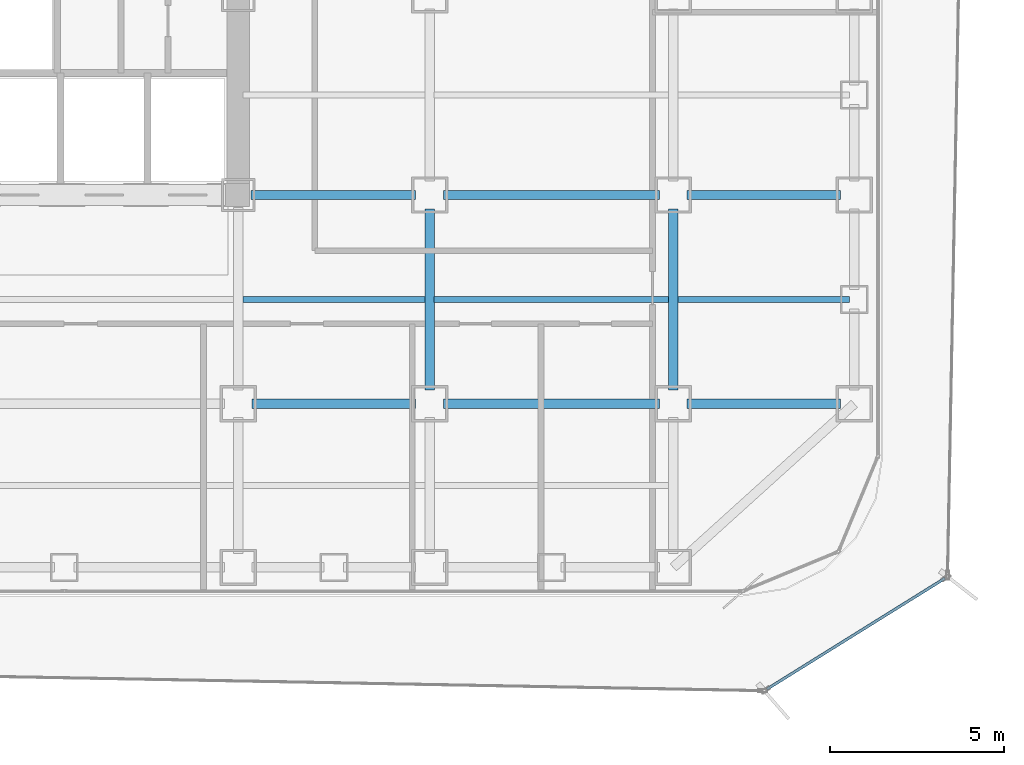
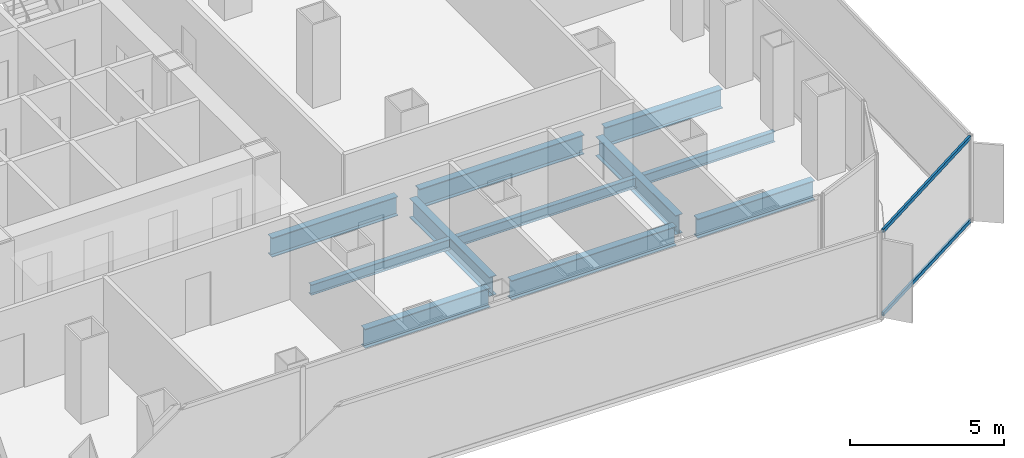
# One storey, part 7 of 22: 11 beams, 2 members, 1 element without a shape of its own.
"""IFC4 building model written with IfcOpenShell, lengths in metres."""

from ifc_helpers import new_model, si_unit, direction, frame, origin, origin_2d, place, context, subcontext, project, spatial, hollow_rectangle, i_section, extrude, source, transform, mapped, material, layer, layer_set, material_profile, profile_set, type_object, element, aggregate, save


model = new_model("IFC4")

# Units and contexts
model_context = context("Model", 3, precision=1e-05, world=origin(), true_north=direction((0.0, 1.0)))
body_context = subcontext(model_context, "Body", "Model", "MODEL_VIEW")
ifc_project = project(units=[si_unit("LENGTHUNIT", "METRE"), si_unit("AREAUNIT", "SQUARE_METRE"), si_unit("VOLUMEUNIT", "CUBIC_METRE"), si_unit("PLANEANGLEUNIT", "RADIAN"), si_unit("MASSUNIT", "GRAM", prefix="KILO")], contexts=[model_context])

# Site, building, storey
site_placement = place(None, origin())
site = spatial("IfcSite", under=ifc_project, at=site_placement, CompositionType="ELEMENT")
building_placement = place(site_placement, origin())
building = spatial("IfcBuilding", under=site, at=building_placement, Name="Kolveth Station Tower", CompositionType="ELEMENT")
storey_placement = place(building_placement, frame((0.0, 0.0, 81.0)))
storey = spatial("IfcBuildingStorey", under=building, at=storey_placement, Name="L21", CompositionType="ELEMENT", Elevation=81.0)

# Beams
ifc_material_1 = material(Name="Steel S355", Category="steel")
ifc_material_profile_1 = material_profile(ifc_material_1, i_section(OverallWidth=0.26708984375, OverallDepth=0.76611328125, WebThickness=0.014892578125, FlangeThickness=0.023681640625, at=origin_2d()), Name="W760x185")
ifc_profile_set_1 = profile_set([ifc_material_profile_1], Name="Steel S355")
beam_type_1 = type_object("IfcBeamType", Name="Beam_B3", PredefinedType="BEAM", material=ifc_profile_set_1)
shared_shape_1 = source(origin(), body_context, "Body", "SweptSolid", [
    extrude(i_section(OverallWidth=0.26708984375, OverallDepth=0.76611328125, WebThickness=0.014892578125, FlangeThickness=0.023681640625, at=origin_2d()), origin(), (0.0, 0.0, 1.0), 4.400146484375),
])
for number, where, z_axis, x_axis, name in (
    (1, (41.39990234375, 5.5, -0.6630859375), (1.0, 0.0, 0.0), (0.0, 1.0, 0.0), "L21 Primary Girder BM-L21-GY55-7"),
    (2, (41.39990234375, 11.5, -0.6630859375), (1.0, 0.0, 0.0), (0.0, 1.0, 0.0), "L21 Primary Girder BM-L21-GY115-7"),
):
    element("IfcBeam", number, at=place(storey_placement, frame(where, z_axis=z_axis, x_axis=x_axis)), inside=storey, type_object=beam_type_1, Name=name, PredefinedType="BEAM", context=body_context, shape_type="MappedRepresentation", body=[
        mapped(shared_shape_1, transform((0.0, 0.0, 0.0), x_axis=(1.0, 0.0, 0.0), y_axis=(0.0, 1.0, 0.0), z_axis=(0.0, 0.0, 1.0), scale=1.0)),
    ])
shared_shape_2 = source(origin(), body_context, "Body", "SweptSolid", [
    extrude(i_section(OverallWidth=0.26708984375, OverallDepth=0.76611328125, WebThickness=0.014892578125, FlangeThickness=0.023681640625, at=origin_2d()), origin(), (0.0, 0.0, 1.0), 6.2001953125),
])
for number, where, z_axis, x_axis, name in (
    (3, (34.39990234375, 5.5, -0.6630859375), (1.0, 0.0, 0.0), (0.0, 1.0, 0.0), "L21 Primary Girder BM-L21-GY55-6"),
    (4, (34.39990234375, 11.5, -0.6630859375), (1.0, 0.0, 0.0), (0.0, 1.0, 0.0), "L21 Primary Girder BM-L21-GY115-6"),
):
    element("IfcBeam", number, at=place(storey_placement, frame(where, z_axis=z_axis, x_axis=x_axis)), inside=storey, type_object=beam_type_1, Name=name, PredefinedType="BEAM", context=body_context, shape_type="MappedRepresentation", body=[
        mapped(shared_shape_2, transform((0.0, 0.0, 0.0), x_axis=(1.0, 0.0, 0.0), y_axis=(0.0, 1.0, 0.0), z_axis=(0.0, 0.0, 1.0), scale=1.0)),
    ])
shared_shape_3 = source(origin(), body_context, "Body", "SweptSolid", [
    extrude(i_section(OverallWidth=0.26708984375, OverallDepth=0.76611328125, WebThickness=0.014892578125, FlangeThickness=0.023681640625, at=origin_2d()), origin(), (0.0, 0.0, 1.0), 4.7001953125),
])
beam_1_placement = place(storey_placement, frame((28.89990234375, 5.5, -0.6630859375), z_axis=(1.0, 0.0, 0.0), x_axis=(0.0, 1.0, 0.0)))
element("IfcBeam", 5, at=beam_1_placement, inside=storey, type_object=beam_type_1, Name="L21 Primary Girder BM-L21-GY55-5", PredefinedType="BEAM", context=body_context, shape_type="MappedRepresentation", body=[
    mapped(shared_shape_3, transform((0.0, 0.0, 0.0), x_axis=(1.0, 0.0, 0.0), y_axis=(0.0, 1.0, 0.0), z_axis=(0.0, 0.0, 1.0), scale=1.0)),
])
shared_shape_4 = source(origin(), body_context, "Body", "SweptSolid", [
    extrude(i_section(OverallWidth=0.26708984375, OverallDepth=0.76611328125, WebThickness=0.014892578125, FlangeThickness=0.023681640625, at=origin_2d()), origin(), (0.0, 0.0, 1.0), 4.739990234375),
])
beam_2_placement = place(storey_placement, frame((28.860107421875, 11.5, -0.6630859375), z_axis=(1.0, 0.0, 0.0), x_axis=(0.0, 1.0, 0.0)))
element("IfcBeam", 6, at=beam_2_placement, inside=storey, type_object=beam_type_1, Name="L21 Primary Girder BM-L21-GY115-5", PredefinedType="BEAM", context=body_context, shape_type="MappedRepresentation", body=[
    mapped(shared_shape_4, transform((0.0, 0.0, 0.0), x_axis=(1.0, 0.0, 0.0), y_axis=(0.0, 1.0, 0.0), z_axis=(0.0, 0.0, 1.0), scale=1.0)),
])
shared_shape_5 = source(origin(), body_context, "Body", "SweptSolid", [
    extrude(i_section(OverallWidth=0.26708984375, OverallDepth=0.76611328125, WebThickness=0.014892578125, FlangeThickness=0.023681640625, at=origin_2d()), origin(), (0.0, 0.0, 1.0), 5.2001953125),
])
for number, where, z_axis, x_axis, name in (
    (7, (34.0, 5.89990234375, -0.6630859375), (0.0, 1.0, 0.0), (-1.0, 0.0, 0.0), "L21 Primary Girder BM-L21-GX340-2"),
    (8, (41.0, 5.89990234375, -0.6630859375), (0.0, 1.0, 0.0), (-1.0, 0.0, 0.0), "L21 Primary Girder BM-L21-GX410-2"),
):
    element("IfcBeam", number, at=place(storey_placement, frame(where, z_axis=z_axis, x_axis=x_axis)), inside=storey, type_object=beam_type_1, Name=name, PredefinedType="BEAM", context=body_context, shape_type="MappedRepresentation", body=[
        mapped(shared_shape_5, transform((0.0, 0.0, 0.0), x_axis=(1.0, 0.0, 0.0), y_axis=(0.0, 1.0, 0.0), z_axis=(0.0, 0.0, 1.0), scale=1.0)),
    ])
ifc_material_profile_2 = material_profile(ifc_material_1, i_section(OverallWidth=0.177978515625, OverallDepth=0.406982421875, WebThickness=0.0078125, FlangeThickness=0.0126953125, at=origin_2d()), Name="W410x60")
ifc_profile_set_2 = profile_set([ifc_material_profile_2], Name="Steel S355")
beam_type_2 = type_object("IfcBeamType", Name="Beam_J1", PredefinedType="JOIST", material=ifc_profile_set_2)
shared_shape_6 = source(origin(), body_context, "Body", "SweptSolid", [
    extrude(i_section(OverallWidth=0.177978515625, OverallDepth=0.406982421875, WebThickness=0.0078125, FlangeThickness=0.0126953125, at=origin_2d()), origin(), (0.0, 0.0, 1.0), 4.935791015625),
])
beam_3_placement = place(storey_placement, frame((41.131591796875, 8.5, -0.4833984375), z_axis=(1.0, 0.0, 0.0), x_axis=(0.0, 1.0, 0.0)))
element("IfcBeam", 9, at=beam_3_placement, inside=storey, type_object=beam_type_2, Name="L21 Secondary Joist JST-L21-7-2", PredefinedType="JOIST", context=body_context, shape_type="MappedRepresentation", body=[
    mapped(shared_shape_6, transform((0.0, 0.0, 0.0), x_axis=(1.0, 0.0, 0.0), y_axis=(0.0, 1.0, 0.0), z_axis=(0.0, 0.0, 1.0), scale=1.0)),
])
shared_shape_7 = source(origin(), body_context, "Body", "SweptSolid", [
    extrude(i_section(OverallWidth=0.177978515625, OverallDepth=0.406982421875, WebThickness=0.0078125, FlangeThickness=0.0126953125, at=origin_2d()), origin(), (0.0, 0.0, 1.0), 6.73681640625),
])
beam_4_placement = place(storey_placement, frame((34.131591796875, 8.5, -0.4833984375), z_axis=(1.0, 0.0, 0.0), x_axis=(0.0, 1.0, 0.0)))
element("IfcBeam", 10, at=beam_4_placement, inside=storey, type_object=beam_type_2, Name="L21 Secondary Joist JST-L21-6-2", PredefinedType="JOIST", context=body_context, shape_type="MappedRepresentation", body=[
    mapped(shared_shape_7, transform((0.0, 0.0, 0.0), x_axis=(1.0, 0.0, 0.0), y_axis=(0.0, 1.0, 0.0), z_axis=(0.0, 0.0, 1.0), scale=1.0)),
])
shared_shape_8 = source(origin(), body_context, "Body", "SweptSolid", [
    extrude(i_section(OverallWidth=0.177978515625, OverallDepth=0.406982421875, WebThickness=0.0078125, FlangeThickness=0.0126953125, at=origin_2d()), origin(), (0.0, 0.0, 1.0), 5.23681640625),
])
beam_5_placement = place(storey_placement, frame((28.631591796875, 8.5, -0.4833984375), z_axis=(1.0, 0.0, 0.0), x_axis=(0.0, 1.0, 0.0)))
element("IfcBeam", 11, at=beam_5_placement, inside=storey, type_object=beam_type_2, Name="L21 Secondary Joist JST-L21-5-2", PredefinedType="JOIST", context=body_context, shape_type="MappedRepresentation", body=[
    mapped(shared_shape_8, transform((0.0, 0.0, 0.0), x_axis=(1.0, 0.0, 0.0), y_axis=(0.0, 1.0, 0.0), z_axis=(0.0, 0.0, 1.0), scale=1.0)),
])

# Curtain wall, members
ifc_material_2 = material(Name="Black anodized aluminium 6063-T6 and dark solar glass", Category="aluminium")
ifc_layer = layer(ifc_material_2, 0.159912109375)
ifc_layer_set = layer_set([ifc_layer], Name="Black anodized aluminium 6063-T6 and dark solar glass")
curtain_wall_type = type_object("IfcCurtainWallType", Name="OUTER SKIN CW-OS", PredefinedType="NOTDEFINED", material=ifc_layer_set)
curtain_wall_placement = place(storey_placement, origin())
curtain_wall = element("IfcCurtainWall", 12, at=curtain_wall_placement, inside=storey, type_object=curtain_wall_type, Name="L21 Outer Ventilated Skin Curtain Wall 1", PredefinedType="NOTDEFINED")
ifc_material_3 = material(Name="Black anodized aluminium 6063-T6", Category="aluminium")
ifc_material_profile_3 = material_profile(ifc_material_3, hollow_rectangle(XDim=0.080078125, YDim=0.14990234375, WallThickness=0.0048828125, at=origin_2d()), Name="ALU-80x150x5")
ifc_profile_set_3 = profile_set([ifc_material_profile_3], Name="Black anodized aluminium 6063-T6")
member_type = type_object("IfcMemberType", Name="Transom_TR-OS", PredefinedType="USERDEFINED", material=ifc_profile_set_3)
shared_shape_9 = source(origin(), body_context, "Body", "SweptSolid", [
    extrude(hollow_rectangle(XDim=0.080078125, YDim=0.14990234375, WallThickness=0.0048828125, at=origin_2d()), origin(), (0.0, 0.0, 1.0), 6.024658203125),
])
member_1_placement = place(storey_placement, frame((43.689697265625, -2.6982421875, 0.0400390625), z_axis=(0.848832750139, 0.528661481755, 0.0), x_axis=(-0.528661481755, 0.848832750139, 0.0)))
member_1 = element("IfcMember", 13, at=member_1_placement, type_object=member_type, Name="CW-OS transom 1.1", ObjectType="TRANSOM", PredefinedType="USERDEFINED", context=body_context, shape_type="MappedRepresentation", body=[
    mapped(shared_shape_9, transform((0.0, 0.0, 0.0), x_axis=(1.0, 0.0, 0.0), y_axis=(0.0, 1.0, 0.0), z_axis=(0.0, 0.0, 1.0), scale=1.0)),
])
member_2_placement = place(storey_placement, frame((43.689697265625, -2.6982421875, 3.35009765625), z_axis=(0.848832750139, 0.528661481755, 0.0), x_axis=(-0.528661481755, 0.848832750139, 0.0)))
member_2 = element("IfcMember", 14, at=member_2_placement, type_object=member_type, Name="CW-OS transom 1.2", ObjectType="TRANSOM", PredefinedType="USERDEFINED", context=body_context, shape_type="MappedRepresentation", body=[
    mapped(shared_shape_9, transform((0.0, 0.0, 0.0), x_axis=(1.0, 0.0, 0.0), y_axis=(0.0, 1.0, 0.0), z_axis=(0.0, 0.0, 1.0), scale=1.0)),
])
aggregate(curtain_wall, [member_1, member_2])

save(model, "model.ifc")
